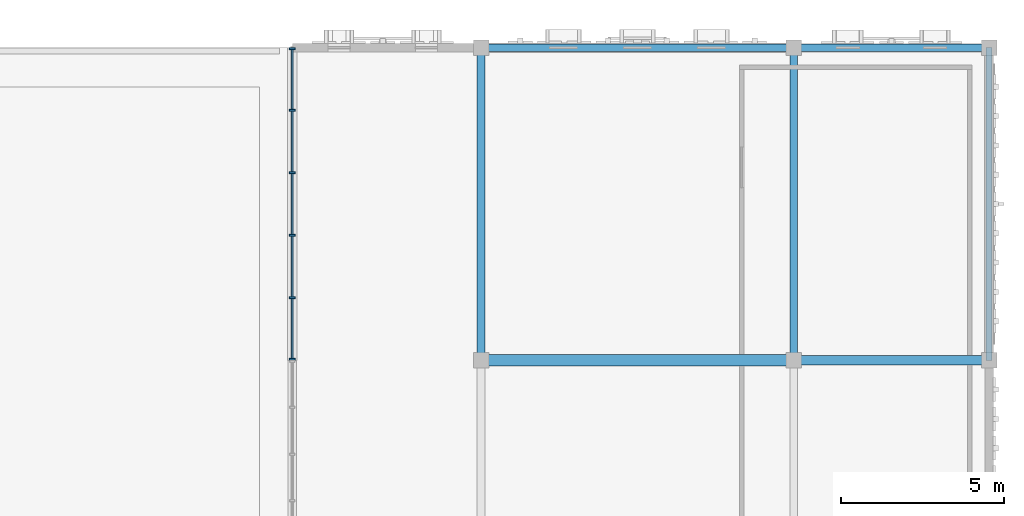
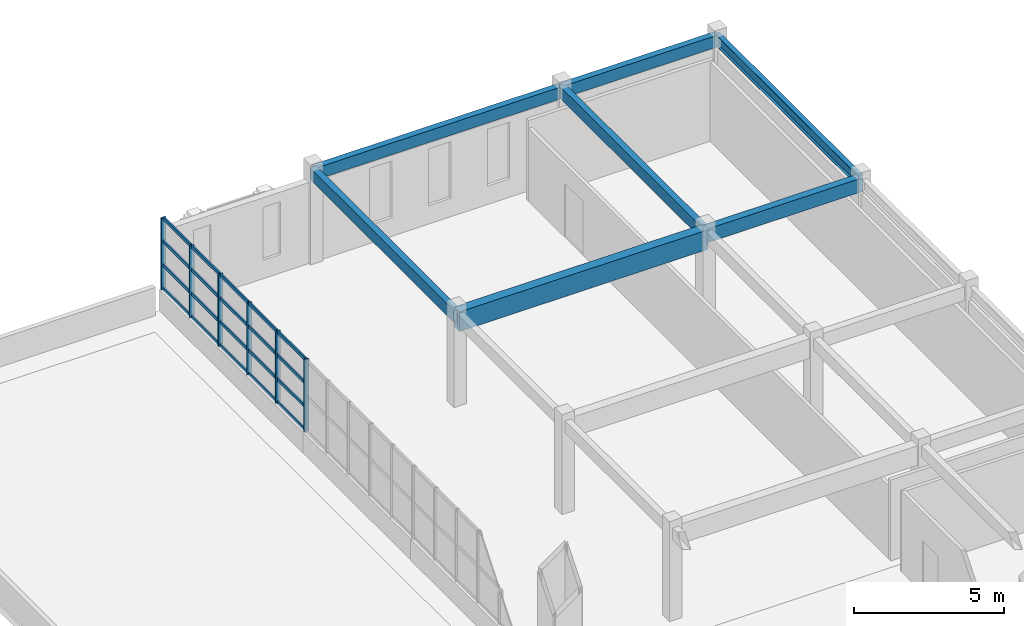
# One storey, part 31 of 79: 26 members, 7 beams, 1 element without a shape of its own.
"""IFC4 building model written with IfcOpenShell, lengths in metres."""

from ifc_helpers import new_model, si_unit, direction, frame, origin, origin_2d, place, context, subcontext, project, spatial, rectangle, i_section, extrude, material, material_profile, profile_set, type_object, element, aggregate, save


model = new_model("IFC4")

# Units and contexts
model_context = context("Model", 3, precision=1e-05, world=origin(), true_north=direction((0.0, 1.0)))
body_context = subcontext(model_context, "Body", "Model", "MODEL_VIEW")
ifc_project = project(units=[si_unit("LENGTHUNIT", "METRE"), si_unit("AREAUNIT", "SQUARE_METRE"), si_unit("VOLUMEUNIT", "CUBIC_METRE"), si_unit("PLANEANGLEUNIT", "RADIAN"), si_unit("MASSUNIT", "GRAM", prefix="KILO")], contexts=[model_context])

# Site, building, storey
site_placement = place(None, origin())
site = spatial("IfcSite", under=ifc_project, at=site_placement, CompositionType="ELEMENT")
building_placement = place(site_placement, origin())
building = spatial("IfcBuilding", under=site, at=building_placement, Name="Nzembalo Square Collegiate School", CompositionType="ELEMENT")
storey_placement = place(building_placement, frame((0.0, 0.0, 9.52001953125)))
storey = spatial("IfcBuildingStorey", under=building, at=storey_placement, Name="L02", CompositionType="ELEMENT", Elevation=9.52001953125)

# Beams
ifc_material_1 = material(Name="Glulam GL28h", Category="wood")
ifc_material_profile_1 = material_profile(ifc_material_1, rectangle(XDim=0.280029296875, YDim=0.56005859375, at=origin_2d()), Name="GL28h 280x560")
ifc_profile_set_1 = profile_set([ifc_material_profile_1], Name="Glulam GL28h")
beam_type_1 = type_object("IfcBeamType", Name="B05", PredefinedType="BEAM", material=ifc_profile_set_1)
beam_1_placement = place(storey_placement, frame((159.60009765625, 104.39990234375, 3.5048828125), z_axis=(1.0, 0.0, 0.0), x_axis=(0.0, 1.0, 0.0)))
element("IfcBeam", 1, at=beam_1_placement, inside=storey, type_object=beam_type_1, Name="Beam B05 L02", PredefinedType="BEAM", context=body_context, shape_type="SweptSolid", body=[
    extrude(rectangle(XDim=0.280029296875, YDim=0.56005859375, at=origin_2d()), origin(), (0.0, 0.0, 1.0), 6.0),
])
ifc_material_2 = material(Name="Glulam GL28h", Category="wood")
ifc_material_profile_2 = material_profile(ifc_material_2, rectangle(XDim=0.239990234375, YDim=0.47998046875, at=origin_2d()), Name="GL28h 240x480")
ifc_profile_set_2 = profile_set([ifc_material_profile_2], Name="Glulam GL28h")
beam_type_2 = type_object("IfcBeamType", Name="B06", PredefinedType="BEAM", material=ifc_profile_set_2)
for number, where, z_axis, x_axis, name in (
    (2, (150.0, 104.39990234375, 3.544921875), (0.0, 1.0, 0.0), (-1.0, 0.0, 0.0), "Beam B06 L02"),
    (3, (159.60009765625, 104.39990234375, 3.544921875), (0.0, 1.0, 0.0), (-1.0, 0.0, 0.0), "Beam B06 L02"),
):
    element("IfcBeam", number, at=place(storey_placement, frame(where, z_axis=z_axis, x_axis=x_axis)), inside=storey, type_object=beam_type_2, Name=name, PredefinedType="BEAM", context=body_context, shape_type="SweptSolid", body=[
        extrude(rectangle(XDim=0.239990234375, YDim=0.47998046875, at=origin_2d()), origin(), (0.0, 0.0, 1.0), 9.60009765625),
    ])
ifc_material_3 = material(Name="Steel S355", Category="steel")
ifc_material_profile_3 = material_profile(ifc_material_3, i_section(OverallWidth=0.18994140625, OverallDepth=0.449951171875, WebThickness=0.009521484375, FlangeThickness=0.0146484375, at=origin_2d()), Name="IPE 450")
ifc_profile_set_3 = profile_set([ifc_material_profile_3], Name="Steel S355")
beam_type_3 = type_object("IfcBeamType", Name="B09", PredefinedType="BEAM", material=ifc_profile_set_3)
beam_2_placement = place(storey_placement, frame((165.60009765625, 104.39990234375, 3.56005859375), z_axis=(0.0, 1.0, 0.0), x_axis=(-1.0, 0.0, 0.0)))
element("IfcBeam", 4, at=beam_2_placement, inside=storey, type_object=beam_type_3, Name="Beam B09 L02", PredefinedType="BEAM", context=body_context, shape_type="SweptSolid", body=[
    extrude(i_section(OverallWidth=0.18994140625, OverallDepth=0.449951171875, WebThickness=0.009521484375, FlangeThickness=0.0146484375, at=origin_2d()), origin(), (0.0, 0.0, 1.0), 9.60009765625),
])
ifc_material_4 = material(Name="Glulam GL32h", Category="wood")
ifc_material_profile_4 = material_profile(ifc_material_4, rectangle(XDim=0.360107421875, YDim=0.800048828125, at=origin_2d()), Name="GL32h 360x800")
ifc_profile_set_4 = profile_set([ifc_material_profile_4], Name="Glulam GL32h")
beam_type_4 = type_object("IfcBeamType", Name="B13", PredefinedType="BEAM", material=ifc_profile_set_4)
beam_3_placement = place(storey_placement, frame((150.0, 104.39990234375, 3.385009765625), z_axis=(1.0, 0.0, 0.0), x_axis=(0.0, 1.0, 0.0)))
element("IfcBeam", 5, at=beam_3_placement, inside=storey, type_object=beam_type_4, Name="Beam B13 L02", PredefinedType="BEAM", context=body_context, shape_type="SweptSolid", body=[
    extrude(rectangle(XDim=0.360107421875, YDim=0.800048828125, at=origin_2d()), origin(), (0.0, 0.0, 1.0), 9.60009765625),
])
ifc_material_5 = material(Name="Glulam GL28h", Category="wood")
ifc_material_profile_5 = material_profile(ifc_material_5, rectangle(XDim=0.239990234375, YDim=0.47998046875, at=origin_2d()), Name="GL28h 240x480")
ifc_profile_set_5 = profile_set([ifc_material_profile_5], Name="Glulam GL28h")
beam_type_5 = type_object("IfcBeamType", Name="SP02", PredefinedType="SPANDREL", material=ifc_profile_set_5)
beam_4_placement = place(storey_placement, frame((150.0, 114.0, 3.544921875), z_axis=(1.0, 0.0, 0.0), x_axis=(0.0, 1.0, 0.0)))
element("IfcBeam", 6, at=beam_4_placement, inside=storey, type_object=beam_type_5, Name="Beam SP02 L02", PredefinedType="SPANDREL", context=body_context, shape_type="SweptSolid", body=[
    extrude(rectangle(XDim=0.239990234375, YDim=0.47998046875, at=origin_2d()), origin(), (0.0, 0.0, 1.0), 9.60009765625),
])
beam_5_placement = place(storey_placement, frame((159.60009765625, 114.0, 3.544921875), z_axis=(1.0, 0.0, 0.0), x_axis=(0.0, 1.0, 0.0)))
element("IfcBeam", 7, at=beam_5_placement, inside=storey, type_object=beam_type_5, Name="Beam SP02 L02", PredefinedType="SPANDREL", context=body_context, shape_type="SweptSolid", body=[
    extrude(rectangle(XDim=0.239990234375, YDim=0.47998046875, at=origin_2d()), origin(), (0.0, 0.0, 1.0), 6.0),
])

# Curtain wall, members
ifc_material_6 = material(Name="Aluminium 6060-T66", Category="aluminium")
curtain_wall_type = type_object("IfcCurtainWallType", Name="CW-09", PredefinedType="USERDEFINED", material=ifc_material_6)
curtain_wall_placement = place(storey_placement, origin())
curtain_wall = element("IfcCurtainWall", 8, at=curtain_wall_placement, inside=storey, type_object=curtain_wall_type, Name="Curtain wall CW-09 cw:L02:104", ObjectType="UNITISED", PredefinedType="USERDEFINED")
ifc_material_7 = material(Name="Aluminium 6060-T66", Category="aluminium")
ifc_material_profile_6 = material_profile(ifc_material_7, rectangle(XDim=0.06005859375, YDim=0.179931640625, at=origin_2d()), Name="ALU M60x180")
ifc_profile_set_6 = profile_set([ifc_material_profile_6], Name="Aluminium 6060-T66")
member_type_1 = type_object("IfcMemberType", Name="ML01", PredefinedType="MULLION", material=ifc_profile_set_6)
member_1_placement = place(storey_placement, frame((144.199951171875, 104.429931640625, 0.85009765625), z_axis=(0.0, 0.0, 1.0), x_axis=(0.0, 1.0, 0.0)))
member_1 = element("IfcMember", 9, at=member_1_placement, type_object=member_type_1, Name="ML01 mullion 1", PredefinedType="MULLION", context=body_context, shape_type="SweptSolid", body=[
    extrude(rectangle(XDim=0.06005859375, YDim=0.179931640625, at=origin_2d()), origin(), (0.0, 0.0, 1.0), 2.923828125),
])
member_2_placement = place(storey_placement, frame((144.199951171875, 106.320068359375, 0.85009765625), z_axis=(0.0, 0.0, 1.0), x_axis=(0.0, 1.0, 0.0)))
member_2 = element("IfcMember", 10, at=member_2_placement, type_object=member_type_1, Name="ML01 mullion 2", PredefinedType="MULLION", context=body_context, shape_type="SweptSolid", body=[
    extrude(rectangle(XDim=0.06005859375, YDim=0.179931640625, at=origin_2d()), origin(), (0.0, 0.0, 1.0), 2.923828125),
])
member_3_placement = place(storey_placement, frame((144.199951171875, 108.239990234375, 0.85009765625), z_axis=(0.0, 0.0, 1.0), x_axis=(0.0, 1.0, 0.0)))
member_3 = element("IfcMember", 11, at=member_3_placement, type_object=member_type_1, Name="ML01 mullion 3", PredefinedType="MULLION", context=body_context, shape_type="SweptSolid", body=[
    extrude(rectangle(XDim=0.06005859375, YDim=0.179931640625, at=origin_2d()), origin(), (0.0, 0.0, 1.0), 2.923828125),
])
member_4_placement = place(storey_placement, frame((144.199951171875, 110.159912109375, 0.85009765625), z_axis=(0.0, 0.0, 1.0), x_axis=(0.0, 1.0, 0.0)))
member_4 = element("IfcMember", 12, at=member_4_placement, type_object=member_type_1, Name="ML01 mullion 4", PredefinedType="MULLION", context=body_context, shape_type="SweptSolid", body=[
    extrude(rectangle(XDim=0.06005859375, YDim=0.179931640625, at=origin_2d()), origin(), (0.0, 0.0, 1.0), 2.923828125),
])
member_5_placement = place(storey_placement, frame((144.199951171875, 112.080078125, 0.85009765625), z_axis=(0.0, 0.0, 1.0), x_axis=(0.0, 1.0, 0.0)))
member_5 = element("IfcMember", 13, at=member_5_placement, type_object=member_type_1, Name="ML01 mullion 5", PredefinedType="MULLION", context=body_context, shape_type="SweptSolid", body=[
    extrude(rectangle(XDim=0.06005859375, YDim=0.179931640625, at=origin_2d()), origin(), (0.0, 0.0, 1.0), 2.923828125),
])
member_6_placement = place(storey_placement, frame((144.199951171875, 113.969970703125, 0.85009765625), z_axis=(0.0, 0.0, 1.0), x_axis=(0.0, 1.0, 0.0)))
member_6 = element("IfcMember", 14, at=member_6_placement, type_object=member_type_1, Name="ML01 mullion 6", PredefinedType="MULLION", context=body_context, shape_type="SweptSolid", body=[
    extrude(rectangle(XDim=0.06005859375, YDim=0.179931640625, at=origin_2d()), origin(), (0.0, 0.0, 1.0), 2.923828125),
])
ifc_material_8 = material(Name="Aluminium 6060-T66", Category="aluminium")
ifc_material_profile_7 = material_profile(ifc_material_8, rectangle(XDim=0.06005859375, YDim=0.139892578125, at=origin_2d()), Name="ALU T60x140")
ifc_profile_set_7 = profile_set([ifc_material_profile_7], Name="Aluminium 6060-T66")
member_type_2 = type_object("IfcMemberType", Name="TR01", PredefinedType="USERDEFINED", material=ifc_profile_set_7)
member_7_placement = place(storey_placement, frame((144.199951171875, 104.4599609375, 0.8798828125), z_axis=(0.0, 1.0, 0.0), x_axis=(-1.0, 0.0, 0.0)))
member_7 = element("IfcMember", 15, at=member_7_placement, type_object=member_type_2, Name="TR01 transom 1-1", ObjectType="TRANSOM", PredefinedType="USERDEFINED", context=body_context, shape_type="SweptSolid", body=[
    extrude(rectangle(XDim=0.06005859375, YDim=0.139892578125, at=origin_2d()), origin(), (0.0, 0.0, 1.0), 1.830078125),
])
member_8_placement = place(storey_placement, frame((144.199951171875, 106.35009765625, 0.8798828125), z_axis=(0.0, 1.0, 0.0), x_axis=(-1.0, 0.0, 0.0)))
member_8 = element("IfcMember", 16, at=member_8_placement, type_object=member_type_2, Name="TR01 transom 1-2", ObjectType="TRANSOM", PredefinedType="USERDEFINED", context=body_context, shape_type="SweptSolid", body=[
    extrude(rectangle(XDim=0.06005859375, YDim=0.139892578125, at=origin_2d()), origin(), (0.0, 0.0, 1.0), 1.85986328125),
])
member_9_placement = place(storey_placement, frame((144.199951171875, 108.27001953125, 0.8798828125), z_axis=(0.0, 1.0, 0.0), x_axis=(-1.0, 0.0, 0.0)))
member_9 = element("IfcMember", 17, at=member_9_placement, type_object=member_type_2, Name="TR01 transom 1-3", ObjectType="TRANSOM", PredefinedType="USERDEFINED", context=body_context, shape_type="SweptSolid", body=[
    extrude(rectangle(XDim=0.06005859375, YDim=0.139892578125, at=origin_2d()), origin(), (0.0, 0.0, 1.0), 1.85986328125),
])
member_10_placement = place(storey_placement, frame((144.199951171875, 110.18994140625, 0.8798828125), z_axis=(0.0, 1.0, 0.0), x_axis=(-1.0, 0.0, 0.0)))
member_10 = element("IfcMember", 18, at=member_10_placement, type_object=member_type_2, Name="TR01 transom 1-4", ObjectType="TRANSOM", PredefinedType="USERDEFINED", context=body_context, shape_type="SweptSolid", body=[
    extrude(rectangle(XDim=0.06005859375, YDim=0.139892578125, at=origin_2d()), origin(), (0.0, 0.0, 1.0), 1.860107421875),
])
member_11_placement = place(storey_placement, frame((144.199951171875, 112.110107421875, 0.8798828125), z_axis=(0.0, 1.0, 0.0), x_axis=(-1.0, 0.0, 0.0)))
member_11 = element("IfcMember", 19, at=member_11_placement, type_object=member_type_2, Name="TR01 transom 1-5", ObjectType="TRANSOM", PredefinedType="USERDEFINED", context=body_context, shape_type="SweptSolid", body=[
    extrude(rectangle(XDim=0.06005859375, YDim=0.139892578125, at=origin_2d()), origin(), (0.0, 0.0, 1.0), 1.829833984375),
])
member_12_placement = place(storey_placement, frame((144.199951171875, 104.4599609375, 1.82470703125), z_axis=(0.0, 1.0, 0.0), x_axis=(-1.0, 0.0, 0.0)))
member_12 = element("IfcMember", 20, at=member_12_placement, type_object=member_type_2, Name="TR01 transom 2-1", ObjectType="TRANSOM", PredefinedType="USERDEFINED", context=body_context, shape_type="SweptSolid", body=[
    extrude(rectangle(XDim=0.06005859375, YDim=0.139892578125, at=origin_2d()), origin(), (0.0, 0.0, 1.0), 1.830078125),
])
member_13_placement = place(storey_placement, frame((144.199951171875, 106.35009765625, 1.82470703125), z_axis=(0.0, 1.0, 0.0), x_axis=(-1.0, 0.0, 0.0)))
member_13 = element("IfcMember", 21, at=member_13_placement, type_object=member_type_2, Name="TR01 transom 2-2", ObjectType="TRANSOM", PredefinedType="USERDEFINED", context=body_context, shape_type="SweptSolid", body=[
    extrude(rectangle(XDim=0.06005859375, YDim=0.139892578125, at=origin_2d()), origin(), (0.0, 0.0, 1.0), 1.85986328125),
])
member_14_placement = place(storey_placement, frame((144.199951171875, 108.27001953125, 1.82470703125), z_axis=(0.0, 1.0, 0.0), x_axis=(-1.0, 0.0, 0.0)))
member_14 = element("IfcMember", 22, at=member_14_placement, type_object=member_type_2, Name="TR01 transom 2-3", ObjectType="TRANSOM", PredefinedType="USERDEFINED", context=body_context, shape_type="SweptSolid", body=[
    extrude(rectangle(XDim=0.06005859375, YDim=0.139892578125, at=origin_2d()), origin(), (0.0, 0.0, 1.0), 1.85986328125),
])
member_15_placement = place(storey_placement, frame((144.199951171875, 110.18994140625, 1.82470703125), z_axis=(0.0, 1.0, 0.0), x_axis=(-1.0, 0.0, 0.0)))
member_15 = element("IfcMember", 23, at=member_15_placement, type_object=member_type_2, Name="TR01 transom 2-4", ObjectType="TRANSOM", PredefinedType="USERDEFINED", context=body_context, shape_type="SweptSolid", body=[
    extrude(rectangle(XDim=0.06005859375, YDim=0.139892578125, at=origin_2d()), origin(), (0.0, 0.0, 1.0), 1.860107421875),
])
member_16_placement = place(storey_placement, frame((144.199951171875, 112.110107421875, 1.82470703125), z_axis=(0.0, 1.0, 0.0), x_axis=(-1.0, 0.0, 0.0)))
member_16 = element("IfcMember", 24, at=member_16_placement, type_object=member_type_2, Name="TR01 transom 2-5", ObjectType="TRANSOM", PredefinedType="USERDEFINED", context=body_context, shape_type="SweptSolid", body=[
    extrude(rectangle(XDim=0.06005859375, YDim=0.139892578125, at=origin_2d()), origin(), (0.0, 0.0, 1.0), 1.829833984375),
])
member_17_placement = place(storey_placement, frame((144.199951171875, 104.4599609375, 2.79931640625), z_axis=(0.0, 1.0, 0.0), x_axis=(-1.0, 0.0, 0.0)))
member_17 = element("IfcMember", 25, at=member_17_placement, type_object=member_type_2, Name="TR01 transom 3-1", ObjectType="TRANSOM", PredefinedType="USERDEFINED", context=body_context, shape_type="SweptSolid", body=[
    extrude(rectangle(XDim=0.06005859375, YDim=0.139892578125, at=origin_2d()), origin(), (0.0, 0.0, 1.0), 1.830078125),
])
member_18_placement = place(storey_placement, frame((144.199951171875, 106.35009765625, 2.79931640625), z_axis=(0.0, 1.0, 0.0), x_axis=(-1.0, 0.0, 0.0)))
member_18 = element("IfcMember", 26, at=member_18_placement, type_object=member_type_2, Name="TR01 transom 3-2", ObjectType="TRANSOM", PredefinedType="USERDEFINED", context=body_context, shape_type="SweptSolid", body=[
    extrude(rectangle(XDim=0.06005859375, YDim=0.139892578125, at=origin_2d()), origin(), (0.0, 0.0, 1.0), 1.85986328125),
])
member_19_placement = place(storey_placement, frame((144.199951171875, 108.27001953125, 2.79931640625), z_axis=(0.0, 1.0, 0.0), x_axis=(-1.0, 0.0, 0.0)))
member_19 = element("IfcMember", 27, at=member_19_placement, type_object=member_type_2, Name="TR01 transom 3-3", ObjectType="TRANSOM", PredefinedType="USERDEFINED", context=body_context, shape_type="SweptSolid", body=[
    extrude(rectangle(XDim=0.06005859375, YDim=0.139892578125, at=origin_2d()), origin(), (0.0, 0.0, 1.0), 1.85986328125),
])
member_20_placement = place(storey_placement, frame((144.199951171875, 110.18994140625, 2.79931640625), z_axis=(0.0, 1.0, 0.0), x_axis=(-1.0, 0.0, 0.0)))
member_20 = element("IfcMember", 28, at=member_20_placement, type_object=member_type_2, Name="TR01 transom 3-4", ObjectType="TRANSOM", PredefinedType="USERDEFINED", context=body_context, shape_type="SweptSolid", body=[
    extrude(rectangle(XDim=0.06005859375, YDim=0.139892578125, at=origin_2d()), origin(), (0.0, 0.0, 1.0), 1.860107421875),
])
member_21_placement = place(storey_placement, frame((144.199951171875, 112.110107421875, 2.79931640625), z_axis=(0.0, 1.0, 0.0), x_axis=(-1.0, 0.0, 0.0)))
member_21 = element("IfcMember", 29, at=member_21_placement, type_object=member_type_2, Name="TR01 transom 3-5", ObjectType="TRANSOM", PredefinedType="USERDEFINED", context=body_context, shape_type="SweptSolid", body=[
    extrude(rectangle(XDim=0.06005859375, YDim=0.139892578125, at=origin_2d()), origin(), (0.0, 0.0, 1.0), 1.829833984375),
])
member_22_placement = place(storey_placement, frame((144.199951171875, 104.4599609375, 3.743896484375), z_axis=(0.0, 1.0, 0.0), x_axis=(-1.0, 0.0, 0.0)))
member_22 = element("IfcMember", 30, at=member_22_placement, type_object=member_type_2, Name="TR01 transom 4-1", ObjectType="TRANSOM", PredefinedType="USERDEFINED", context=body_context, shape_type="SweptSolid", body=[
    extrude(rectangle(XDim=0.06005859375, YDim=0.139892578125, at=origin_2d()), origin(), (0.0, 0.0, 1.0), 1.830078125),
])
member_23_placement = place(storey_placement, frame((144.199951171875, 106.35009765625, 3.743896484375), z_axis=(0.0, 1.0, 0.0), x_axis=(-1.0, 0.0, 0.0)))
member_23 = element("IfcMember", 31, at=member_23_placement, type_object=member_type_2, Name="TR01 transom 4-2", ObjectType="TRANSOM", PredefinedType="USERDEFINED", context=body_context, shape_type="SweptSolid", body=[
    extrude(rectangle(XDim=0.06005859375, YDim=0.139892578125, at=origin_2d()), origin(), (0.0, 0.0, 1.0), 1.85986328125),
])
member_24_placement = place(storey_placement, frame((144.199951171875, 108.27001953125, 3.743896484375), z_axis=(0.0, 1.0, 0.0), x_axis=(-1.0, 0.0, 0.0)))
member_24 = element("IfcMember", 32, at=member_24_placement, type_object=member_type_2, Name="TR01 transom 4-3", ObjectType="TRANSOM", PredefinedType="USERDEFINED", context=body_context, shape_type="SweptSolid", body=[
    extrude(rectangle(XDim=0.06005859375, YDim=0.139892578125, at=origin_2d()), origin(), (0.0, 0.0, 1.0), 1.85986328125),
])
member_25_placement = place(storey_placement, frame((144.199951171875, 110.18994140625, 3.743896484375), z_axis=(0.0, 1.0, 0.0), x_axis=(-1.0, 0.0, 0.0)))
member_25 = element("IfcMember", 33, at=member_25_placement, type_object=member_type_2, Name="TR01 transom 4-4", ObjectType="TRANSOM", PredefinedType="USERDEFINED", context=body_context, shape_type="SweptSolid", body=[
    extrude(rectangle(XDim=0.06005859375, YDim=0.139892578125, at=origin_2d()), origin(), (0.0, 0.0, 1.0), 1.860107421875),
])
member_26_placement = place(storey_placement, frame((144.199951171875, 112.110107421875, 3.743896484375), z_axis=(0.0, 1.0, 0.0), x_axis=(-1.0, 0.0, 0.0)))
member_26 = element("IfcMember", 34, at=member_26_placement, type_object=member_type_2, Name="TR01 transom 4-5", ObjectType="TRANSOM", PredefinedType="USERDEFINED", context=body_context, shape_type="SweptSolid", body=[
    extrude(rectangle(XDim=0.06005859375, YDim=0.139892578125, at=origin_2d()), origin(), (0.0, 0.0, 1.0), 1.829833984375),
])
aggregate(curtain_wall, [member_1, member_2, member_3, member_4, member_5, member_6, member_7, member_8, member_9, member_10, member_11, member_12, member_13, member_14, member_15, member_16, member_17, member_18, member_19, member_20, member_21, member_22, member_23, member_24, member_25, member_26])

save(model, "model.ifc")
